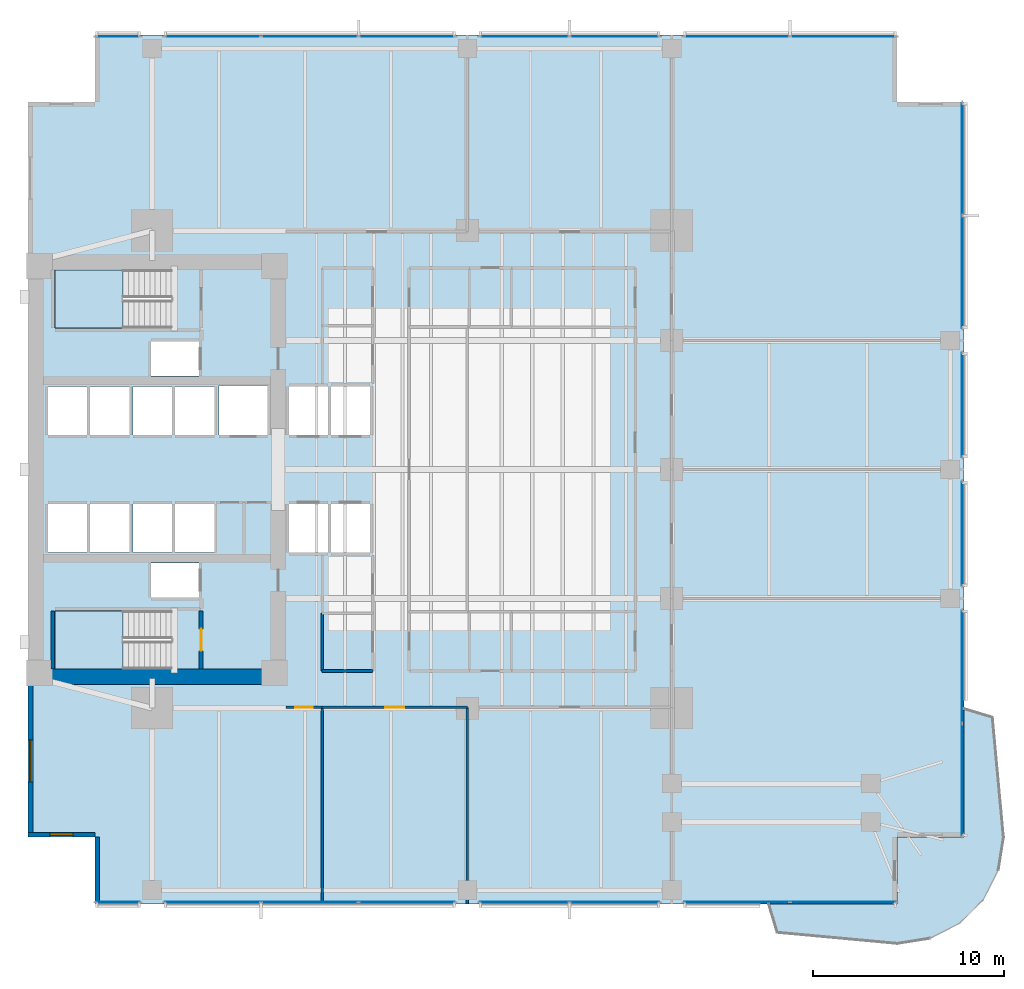
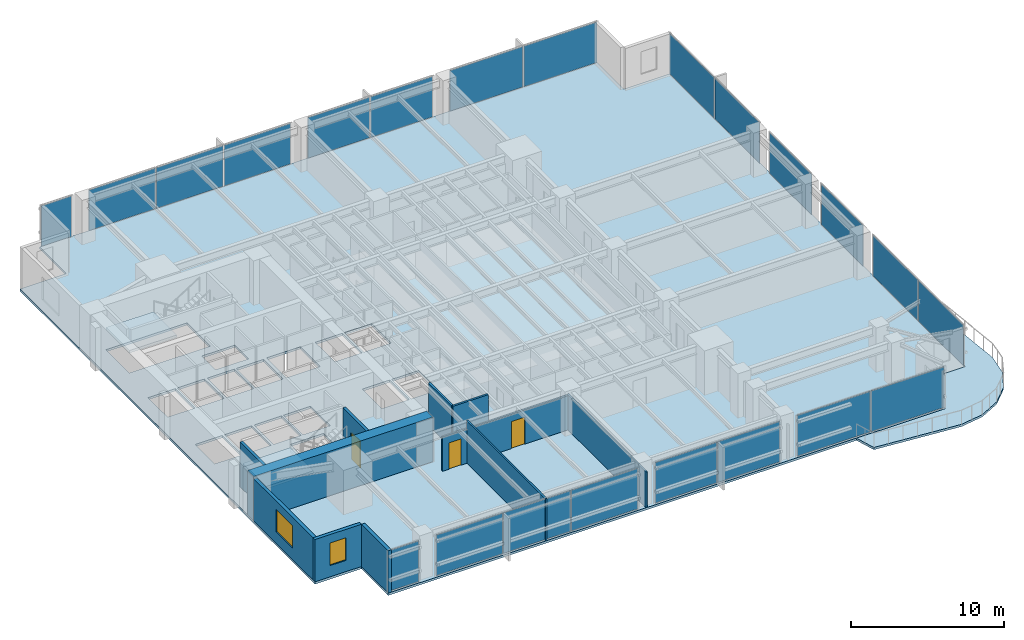
# One storey, part 7 of 15: 22 plates, 12 walls, 4 slabs, 3 doors, 2 windows, 5 openings, 14 elements without a shape of their own.
"""IFC4 building model written with IfcOpenShell, lengths in metres."""

from ifc_helpers import new_model, si_unit, direction, frame, frame_2d, origin, origin_2d, place, context, subcontext, project, spatial, polyline, rectangle, outline, extrude, material, layer, layer_set, type_object, element, fill, aggregate, save


model = new_model("IFC4")

# Units and contexts
model_context = context("Model", 3, precision=1e-05, world=origin(), true_north=direction((0.0, 1.0)))
body_context = subcontext(model_context, "Body", "Model", "MODEL_VIEW")
ifc_project = project(units=[si_unit("LENGTHUNIT", "METRE"), si_unit("AREAUNIT", "SQUARE_METRE"), si_unit("VOLUMEUNIT", "CUBIC_METRE"), si_unit("PLANEANGLEUNIT", "RADIAN"), si_unit("MASSUNIT", "GRAM", prefix="KILO")], contexts=[model_context])

# Site, building, storey
site_placement = place(None, origin())
site = spatial("IfcSite", under=ifc_project, at=site_placement, CompositionType="ELEMENT")
building_placement = place(site_placement, origin())
building = spatial("IfcBuilding", under=site, at=building_placement, Name="Kinhvarn Gate Tower", CompositionType="ELEMENT")
storey_placement = place(building_placement, frame((0.0, 0.0, 29.14990234375)))
storey = spatial("IfcBuildingStorey", under=building, at=storey_placement, Name="L06", CompositionType="ELEMENT", Elevation=29.14990234375)

# Curtain wall, plate
ifc_material_1 = material(Name="Anodised aluminium AW-6063", Category="aluminium")
ifc_layer_1 = layer(ifc_material_1, 0.179931640625)
ifc_layer_set_1 = layer_set([ifc_layer_1], Name="Anodised aluminium AW-6063")
curtain_wall_type = type_object("IfcCurtainWallType", Name="CW-SYS-2", PredefinedType="NOTDEFINED", material=ifc_layer_set_1)
curtain_wall_1_placement = place(storey_placement, origin())
curtain_wall_1 = element("IfcCurtainWall", 1, at=curtain_wall_1_placement, inside=storey, type_object=curtain_wall_type, Name="Curtain Wall CW2 (L06)", PredefinedType="NOTDEFINED")
ifc_material_2 = material(Name="Clear low-e double glazing", Category="glass")
ifc_layer_2 = layer(ifc_material_2, 0.031982421875)
ifc_layer_set_2 = layer_set([ifc_layer_2], Name="Clear low-e double glazing")
plate_type = type_object("IfcPlateType", Name="CW-PNL-VIS", PredefinedType="CURTAIN_PANEL", material=ifc_layer_set_2)
plate_1_placement = place(storey_placement, frame((9.2099609375, 2.590087890625, 0.070068359375), z_axis=(0.0, 0.0, 1.0), x_axis=(1.0, 0.0, 0.0)))
plate_1 = element("IfcPlate", 2, at=plate_1_placement, type_object=plate_type, Name="CW2 panel 1.1", PredefinedType="CURTAIN_PANEL", context=body_context, shape_type="SweptSolid", body=[
    extrude(rectangle(XDim=2.280029296875, YDim=0.031982421875, at=origin_2d()), origin(), (0.0, 0.0, 1.0), 3.22998046875),
])
aggregate(curtain_wall_1, [plate_1])

# Curtain wall, plates
curtain_wall_2_placement = place(storey_placement, origin())
curtain_wall_2 = element("IfcCurtainWall", 3, at=curtain_wall_2_placement, inside=storey, type_object=curtain_wall_type, Name="Curtain Wall CW2 (L06)", PredefinedType="NOTDEFINED")
plate_2_placement = place(storey_placement, frame((14.154052734375, 2.590087890625, 0.070068359375), z_axis=(0.0, 0.0, 1.0), x_axis=(1.0, 0.0, 0.0)))
plate_2 = element("IfcPlate", 4, at=plate_2_placement, type_object=plate_type, Name="CW2 panel 1.1", PredefinedType="CURTAIN_PANEL", context=body_context, shape_type="SweptSolid", body=[
    extrude(rectangle(XDim=5.00830078125, YDim=0.031982421875, at=origin_2d()), origin(), (0.0, 0.0, 1.0), 3.22998046875),
])
plate_3_placement = place(storey_placement, frame((19.25, 2.590087890625, 0.070068359375), z_axis=(0.0, 0.0, 1.0), x_axis=(1.0, 0.0, 0.0)))
plate_3 = element("IfcPlate", 5, at=plate_3_placement, type_object=plate_type, Name="CW2 panel 2.1", PredefinedType="CURTAIN_PANEL", context=body_context, shape_type="SweptSolid", body=[
    extrude(rectangle(XDim=5.043212890625, YDim=0.031982421875, at=origin_2d()), origin(), (0.0, 0.0, 1.0), 3.22998046875),
])
plate_4_placement = place(storey_placement, frame((24.345947265625, 2.590087890625, 0.070068359375), z_axis=(0.0, 0.0, 1.0), x_axis=(1.0, 0.0, 0.0)))
plate_4 = element("IfcPlate", 6, at=plate_4_placement, type_object=plate_type, Name="CW2 panel 3.1", PredefinedType="CURTAIN_PANEL", context=body_context, shape_type="SweptSolid", body=[
    extrude(rectangle(XDim=5.00830078125, YDim=0.031982421875, at=origin_2d()), origin(), (0.0, 0.0, 1.0), 3.22998046875),
])
aggregate(curtain_wall_2, [plate_2, plate_3, plate_4])

curtain_wall_3_placement = place(storey_placement, origin())
curtain_wall_3 = element("IfcCurtainWall", 7, at=curtain_wall_3_placement, inside=storey, type_object=curtain_wall_type, Name="Curtain Wall CW2 (L06)", PredefinedType="NOTDEFINED")
plate_5_placement = place(storey_placement, frame((30.482421875, 2.590087890625, 0.070068359375), z_axis=(0.0, 0.0, 1.0), x_axis=(1.0, 0.0, 0.0)))
plate_5 = element("IfcPlate", 8, at=plate_5_placement, type_object=plate_type, Name="CW2 panel 1.1", PredefinedType="CURTAIN_PANEL", context=body_context, shape_type="SweptSolid", body=[
    extrude(rectangle(XDim=4.6650390625, YDim=0.031982421875, at=origin_2d()), origin(), (0.0, 0.0, 1.0), 3.22998046875),
])
plate_6_placement = place(storey_placement, frame((35.217529296875, 2.590087890625, 0.070068359375), z_axis=(0.0, 0.0, 1.0), x_axis=(1.0, 0.0, 0.0)))
plate_6 = element("IfcPlate", 9, at=plate_6_placement, type_object=plate_type, Name="CW2 panel 2.1", PredefinedType="CURTAIN_PANEL", context=body_context, shape_type="SweptSolid", body=[
    extrude(rectangle(XDim=4.6650390625, YDim=0.031982421875, at=origin_2d()), origin(), (0.0, 0.0, 1.0), 3.22998046875),
])
aggregate(curtain_wall_3, [plate_5, plate_6])

curtain_wall_4_placement = place(storey_placement, origin())
curtain_wall_4 = element("IfcCurtainWall", 10, at=curtain_wall_4_placement, inside=storey, type_object=curtain_wall_type, Name="Curtain Wall CW2 (L06)", PredefinedType="NOTDEFINED")
plate_7_placement = place(storey_placement, frame((41.6025390625, 2.590087890625, 0.070068359375), z_axis=(0.0, 0.0, 1.0), x_axis=(1.0, 0.0, 0.0)))
plate_7 = element("IfcPlate", 11, at=plate_7_placement, type_object=plate_type, Name="CW2 panel 1.1", PredefinedType="CURTAIN_PANEL", context=body_context, shape_type="SweptSolid", body=[
    extrude(rectangle(XDim=5.5048828125, YDim=0.031982421875, at=origin_2d()), origin(), (0.0, 0.0, 1.0), 3.22998046875),
])
plate_8_placement = place(storey_placement, frame((47.177490234375, 2.590087890625, 0.070068359375), z_axis=(0.0, 0.0, 1.0), x_axis=(1.0, 0.0, 0.0)))
plate_8 = element("IfcPlate", 12, at=plate_8_placement, type_object=plate_type, Name="CW2 panel 2.1", PredefinedType="CURTAIN_PANEL", context=body_context, shape_type="SweptSolid", body=[
    extrude(rectangle(XDim=5.5048828125, YDim=0.031982421875, at=origin_2d()), origin(), (0.0, 0.0, 1.0), 3.22998046875),
])
aggregate(curtain_wall_4, [plate_7, plate_8])

curtain_wall_5_placement = place(storey_placement, origin())
curtain_wall_5 = element("IfcCurtainWall", 13, at=curtain_wall_5_placement, inside=storey, type_object=curtain_wall_type, Name="Curtain Wall CW2 (L06)", PredefinedType="NOTDEFINED")
plate_9_placement = place(storey_placement, frame((47.177490234375, 47.909912109375, 0.070068359375), z_axis=(0.0, 0.0, 1.0), x_axis=(-1.0, 0.0, 0.0)))
plate_9 = element("IfcPlate", 14, at=plate_9_placement, type_object=plate_type, Name="CW2 panel 1.1", PredefinedType="CURTAIN_PANEL", context=body_context, shape_type="SweptSolid", body=[
    extrude(rectangle(XDim=5.5048828125, YDim=0.031982421875, at=origin_2d()), origin(), (0.0, 0.0, 1.0), 3.22998046875),
])
plate_10_placement = place(storey_placement, frame((41.6025390625, 47.909912109375, 0.070068359375), z_axis=(0.0, 0.0, 1.0), x_axis=(-1.0, 0.0, 0.0)))
plate_10 = element("IfcPlate", 15, at=plate_10_placement, type_object=plate_type, Name="CW2 panel 2.1", PredefinedType="CURTAIN_PANEL", context=body_context, shape_type="SweptSolid", body=[
    extrude(rectangle(XDim=5.5048828125, YDim=0.031982421875, at=origin_2d()), origin(), (0.0, 0.0, 1.0), 3.22998046875),
])
aggregate(curtain_wall_5, [plate_9, plate_10])

curtain_wall_6_placement = place(storey_placement, origin())
curtain_wall_6 = element("IfcCurtainWall", 16, at=curtain_wall_6_placement, inside=storey, type_object=curtain_wall_type, Name="Curtain Wall CW2 (L06)", PredefinedType="NOTDEFINED")
plate_11_placement = place(storey_placement, frame((35.217529296875, 47.909912109375, 0.070068359375), z_axis=(0.0, 0.0, 1.0), x_axis=(-1.0, 0.0, 0.0)))
plate_11 = element("IfcPlate", 17, at=plate_11_placement, type_object=plate_type, Name="CW2 panel 1.1", PredefinedType="CURTAIN_PANEL", context=body_context, shape_type="SweptSolid", body=[
    extrude(rectangle(XDim=4.6650390625, YDim=0.031982421875, at=origin_2d()), origin(), (0.0, 0.0, 1.0), 3.22998046875),
])
plate_12_placement = place(storey_placement, frame((30.482421875, 47.909912109375, 0.070068359375), z_axis=(0.0, 0.0, 1.0), x_axis=(-1.0, 0.0, 0.0)))
plate_12 = element("IfcPlate", 18, at=plate_12_placement, type_object=plate_type, Name="CW2 panel 2.1", PredefinedType="CURTAIN_PANEL", context=body_context, shape_type="SweptSolid", body=[
    extrude(rectangle(XDim=4.6650390625, YDim=0.031982421875, at=origin_2d()), origin(), (0.0, 0.0, 1.0), 3.22998046875),
])
aggregate(curtain_wall_6, [plate_11, plate_12])

curtain_wall_7_placement = place(storey_placement, origin())
curtain_wall_7 = element("IfcCurtainWall", 19, at=curtain_wall_7_placement, inside=storey, type_object=curtain_wall_type, Name="Curtain Wall CW2 (L06)", PredefinedType="NOTDEFINED")
plate_13_placement = place(storey_placement, frame((24.345947265625, 47.909912109375, 0.070068359375), z_axis=(0.0, 0.0, 1.0), x_axis=(-1.0, 0.0, 0.0)))
plate_13 = element("IfcPlate", 20, at=plate_13_placement, type_object=plate_type, Name="CW2 panel 1.1", PredefinedType="CURTAIN_PANEL", context=body_context, shape_type="SweptSolid", body=[
    extrude(rectangle(XDim=5.00830078125, YDim=0.031982421875, at=origin_2d()), origin(), (0.0, 0.0, 1.0), 3.22998046875),
])
plate_14_placement = place(storey_placement, frame((19.25, 47.909912109375, 0.070068359375), z_axis=(0.0, 0.0, 1.0), x_axis=(-1.0, 0.0, 0.0)))
plate_14 = element("IfcPlate", 21, at=plate_14_placement, type_object=plate_type, Name="CW2 panel 2.1", PredefinedType="CURTAIN_PANEL", context=body_context, shape_type="SweptSolid", body=[
    extrude(rectangle(XDim=5.043212890625, YDim=0.031982421875, at=origin_2d()), origin(), (0.0, 0.0, 1.0), 3.22998046875),
])
plate_15_placement = place(storey_placement, frame((14.154052734375, 47.909912109375, 0.070068359375), z_axis=(0.0, 0.0, 1.0), x_axis=(-1.0, 0.0, 0.0)))
plate_15 = element("IfcPlate", 22, at=plate_15_placement, type_object=plate_type, Name="CW2 panel 3.1", PredefinedType="CURTAIN_PANEL", context=body_context, shape_type="SweptSolid", body=[
    extrude(rectangle(XDim=5.00830078125, YDim=0.031982421875, at=origin_2d()), origin(), (0.0, 0.0, 1.0), 3.22998046875),
])
aggregate(curtain_wall_7, [plate_13, plate_14, plate_15])

# Curtain wall, plate
curtain_wall_8_placement = place(storey_placement, origin())
curtain_wall_8 = element("IfcCurtainWall", 23, at=curtain_wall_8_placement, inside=storey, type_object=curtain_wall_type, Name="Curtain Wall CW2 (L06)", PredefinedType="NOTDEFINED")
plate_16_placement = place(storey_placement, frame((9.2099609375, 47.909912109375, 0.070068359375), z_axis=(0.0, 0.0, 1.0), x_axis=(-1.0, 0.0, 0.0)))
plate_16 = element("IfcPlate", 24, at=plate_16_placement, type_object=plate_type, Name="CW2 panel 1.1", PredefinedType="CURTAIN_PANEL", context=body_context, shape_type="SweptSolid", body=[
    extrude(rectangle(XDim=2.280029296875, YDim=0.031982421875, at=origin_2d()), origin(), (0.0, 0.0, 1.0), 3.22998046875),
])
aggregate(curtain_wall_8, [plate_16])

# Curtain wall, plates
curtain_wall_9_placement = place(storey_placement, origin())
curtain_wall_9 = element("IfcCurtainWall", 25, at=curtain_wall_9_placement, inside=storey, type_object=curtain_wall_type, Name="Curtain Wall CW2 (L06)", PredefinedType="NOTDEFINED")
plate_17_placement = place(storey_placement, frame((53.409912109375, 8.99755859375, 0.070068359375), z_axis=(0.0, 0.0, 1.0), x_axis=(0.0, 1.0, 0.0)))
plate_17 = element("IfcPlate", 26, at=plate_17_placement, type_object=plate_type, Name="CW2 panel 1.1", PredefinedType="CURTAIN_PANEL", context=body_context, shape_type="SweptSolid", body=[
    extrude(rectangle(XDim=5.85498046875, YDim=0.031982421875, at=origin_2d()), origin(), (0.0, 0.0, 1.0), 3.22998046875),
])
plate_18_placement = place(storey_placement, frame((53.409912109375, 14.922607421875, 0.070068359375), z_axis=(0.0, 0.0, 1.0), x_axis=(0.0, 1.0, 0.0)))
plate_18 = element("IfcPlate", 27, at=plate_18_placement, type_object=plate_type, Name="CW2 panel 2.1", PredefinedType="CURTAIN_PANEL", context=body_context, shape_type="SweptSolid", body=[
    extrude(rectangle(XDim=5.85498046875, YDim=0.031982421875, at=origin_2d()), origin(), (0.0, 0.0, 1.0), 3.22998046875),
])
aggregate(curtain_wall_9, [plate_17, plate_18])

# Curtain wall, plate
curtain_wall_10_placement = place(storey_placement, origin())
curtain_wall_10 = element("IfcCurtainWall", 28, at=curtain_wall_10_placement, inside=storey, type_object=curtain_wall_type, Name="Curtain Wall CW2 (L06)", PredefinedType="NOTDEFINED")
plate_19_placement = place(storey_placement, frame((53.409912109375, 21.875, 0.070068359375), z_axis=(0.0, 0.0, 1.0), x_axis=(0.0, 1.0, 0.0)))
plate_19 = element("IfcPlate", 29, at=plate_19_placement, type_object=plate_type, Name="CW2 panel 1.1", PredefinedType="CURTAIN_PANEL", context=body_context, shape_type="SweptSolid", body=[
    extrude(rectangle(XDim=5.449951171875, YDim=0.031982421875, at=origin_2d()), origin(), (0.0, 0.0, 1.0), 3.22998046875),
])
aggregate(curtain_wall_10, [plate_19])

curtain_wall_11_placement = place(storey_placement, origin())
curtain_wall_11 = element("IfcCurtainWall", 30, at=curtain_wall_11_placement, inside=storey, type_object=curtain_wall_type, Name="Curtain Wall CW2 (L06)", PredefinedType="NOTDEFINED")
plate_20_placement = place(storey_placement, frame((53.409912109375, 28.625, 0.070068359375), z_axis=(0.0, 0.0, 1.0), x_axis=(0.0, 1.0, 0.0)))
plate_20 = element("IfcPlate", 31, at=plate_20_placement, type_object=plate_type, Name="CW2 panel 1.1", PredefinedType="CURTAIN_PANEL", context=body_context, shape_type="SweptSolid", body=[
    extrude(rectangle(XDim=5.449951171875, YDim=0.031982421875, at=origin_2d()), origin(), (0.0, 0.0, 1.0), 3.22998046875),
])
aggregate(curtain_wall_11, [plate_20])

# Curtain wall, plates
curtain_wall_12_placement = place(storey_placement, origin())
curtain_wall_12 = element("IfcCurtainWall", 32, at=curtain_wall_12_placement, inside=storey, type_object=curtain_wall_type, Name="Curtain Wall CW2 (L06)", PredefinedType="NOTDEFINED")
plate_21_placement = place(storey_placement, frame((53.409912109375, 35.577392578125, 0.070068359375), z_axis=(0.0, 0.0, 1.0), x_axis=(0.0, 1.0, 0.0)))
plate_21 = element("IfcPlate", 33, at=plate_21_placement, type_object=plate_type, Name="CW2 panel 1.1", PredefinedType="CURTAIN_PANEL", context=body_context, shape_type="SweptSolid", body=[
    extrude(rectangle(XDim=5.85498046875, YDim=0.031982421875, at=origin_2d()), origin(), (0.0, 0.0, 1.0), 3.22998046875),
])
plate_22_placement = place(storey_placement, frame((53.409912109375, 41.50244140625, 0.070068359375), z_axis=(0.0, 0.0, 1.0), x_axis=(0.0, 1.0, 0.0)))
plate_22 = element("IfcPlate", 34, at=plate_22_placement, type_object=plate_type, Name="CW2 panel 2.1", PredefinedType="CURTAIN_PANEL", context=body_context, shape_type="SweptSolid", body=[
    extrude(rectangle(XDim=5.85498046875, YDim=0.031982421875, at=origin_2d()), origin(), (0.0, 0.0, 1.0), 3.22998046875),
])
aggregate(curtain_wall_12, [plate_21, plate_22])

# Slabs
ifc_material_3 = material(Name="Precast white architectural concrete C40/50", Category="concrete")
ifc_layer_3 = layer(ifc_material_3, 0.179931640625)
ifc_layer_set_3 = layer_set([ifc_layer_3], Name="Precast white architectural concrete C40/50")
slab_type_1 = type_object("IfcSlabType", Name="SLB-BAL-180", PredefinedType="FLOOR", material=ifc_layer_set_3)
slab_1_placement = place(storey_placement, frame((0.0, 0.0, -0.179931640625)))
element("IfcSlab", 35, at=slab_1_placement, inside=storey, type_object=slab_type_1, Name="S-Carve Curved Terrace Balcony Slab L06 (SE)", PredefinedType="FLOOR", context=body_context, shape_type="SweptSolid", body=[
    extrude(outline(polyline([(43.282958984375, 2.5), (43.73291015625, 1.009521484375), (50.0, 0.429931640625), (51.72119140625, 0.70263671875), (53.27392578125, 1.493896484375), (54.506103515625, 2.72607421875), (55.29736328125, 4.27880859375), (55.570068359375, 6.0), (54.990478515625, 12.26708984375), (53.5, 12.717041015625), (53.5, 6.0), (50.0, 6.0), (50.0, 2.5), (43.282958984375, 2.5)])), origin(), (0.0, 0.0, 1.0), 0.179931640625),
])
ifc_material_4 = material(Name="Concrete C40/50", Category="concrete")
ifc_layer_4 = layer(ifc_material_4, 0.179931640625)
ifc_layer_set_4 = layer_set([ifc_layer_4], Name="Concrete C40/50")
slab_type_2 = type_object("IfcSlabType", Name="SLB-FLR-180", PredefinedType="FLOOR", material=ifc_layer_set_4)
slab_2_placement = place(storey_placement, frame((0.0, 0.0, -0.179931640625)))
element("IfcSlab", 36, at=slab_2_placement, inside=storey, type_object=slab_type_2, Name="Suspended Floor Slab L06", PredefinedType="FLOOR", context=body_context, shape_type="SweptSolid", body=[
    extrude(outline(polyline([(8.0, 2.5), (50.0, 2.5), (50.0, 6.0), (53.5, 6.0), (53.5, 44.5), (50.0, 44.5), (50.0, 48.0), (8.0, 48.0), (8.0, 44.5), (4.5, 44.5), (4.5, 6.0), (8.0, 6.0), (8.0, 2.5)]), holes=[polyline([(5.89990234375, 14.800048828125), (12.0, 14.800048828125), (12.0, 17.85009765625), (5.89990234375, 17.85009765625), (5.89990234375, 14.800048828125)]), polyline([(5.89990234375, 32.64990234375), (12.0, 32.64990234375), (12.0, 35.699951171875), (5.89990234375, 35.699951171875), (5.89990234375, 32.64990234375)]), polyline([(18.14990234375, 20.89990234375), (20.199951171875, 20.89990234375), (20.199951171875, 23.449951171875), (18.14990234375, 23.449951171875), (18.14990234375, 20.89990234375)]), polyline([(20.35009765625, 20.89990234375), (22.39990234375, 20.89990234375), (22.39990234375, 23.449951171875), (20.35009765625, 23.449951171875), (20.35009765625, 20.89990234375)]), polyline([(18.14990234375, 27.050048828125), (20.199951171875, 27.050048828125), (20.199951171875, 29.60009765625), (18.14990234375, 29.60009765625), (18.14990234375, 27.050048828125)]), polyline([(20.35009765625, 27.050048828125), (22.39990234375, 27.050048828125), (22.39990234375, 29.60009765625), (20.35009765625, 29.60009765625), (20.35009765625, 27.050048828125)]), polyline([(5.550048828125, 20.89990234375), (7.60009765625, 20.89990234375), (7.60009765625, 23.449951171875), (5.550048828125, 23.449951171875), (5.550048828125, 20.89990234375)]), polyline([(7.75, 20.89990234375), (9.800048828125, 20.89990234375), (9.800048828125, 23.449951171875), (7.75, 23.449951171875), (7.75, 20.89990234375)]), polyline([(5.550048828125, 27.050048828125), (7.60009765625, 27.050048828125), (7.60009765625, 29.60009765625), (5.550048828125, 29.60009765625), (5.550048828125, 27.050048828125)]), polyline([(7.75, 27.050048828125), (9.800048828125, 27.050048828125), (9.800048828125, 29.60009765625), (7.75, 29.60009765625), (7.75, 27.050048828125)]), polyline([(10.0, 20.89990234375), (12.050048828125, 20.89990234375), (12.050048828125, 23.449951171875), (10.0, 23.449951171875), (10.0, 20.89990234375)]), polyline([(12.199951171875, 20.89990234375), (14.25, 20.89990234375), (14.25, 23.449951171875), (12.199951171875, 23.449951171875), (12.199951171875, 20.89990234375)]), polyline([(10.0, 27.050048828125), (12.050048828125, 27.050048828125), (12.050048828125, 29.60009765625), (10.0, 29.60009765625), (10.0, 27.050048828125)]), polyline([(12.199951171875, 27.050048828125), (14.25, 27.050048828125), (14.25, 29.60009765625), (12.199951171875, 29.60009765625), (12.199951171875, 27.050048828125)]), polyline([(14.5, 27.050048828125), (17.050048828125, 27.050048828125), (17.050048828125, 29.64990234375), (14.5, 29.64990234375), (14.5, 27.050048828125)]), polyline([(10.949951171875, 18.550048828125), (13.449951171875, 18.550048828125), (13.449951171875, 20.35009765625), (10.949951171875, 20.35009765625), (10.949951171875, 18.550048828125)]), polyline([(10.949951171875, 30.14990234375), (13.449951171875, 30.14990234375), (13.449951171875, 31.949951171875), (10.949951171875, 31.949951171875), (10.949951171875, 30.14990234375)])]), origin(), (0.0, 0.0, 1.0), 0.179931640625),
])

# Stair, slab
stair_type = type_object("IfcStairType", Name="STR-DLG-178", PredefinedType="HALF_TURN_STAIR", material=ifc_material_4)
stair_1_placement = place(storey_placement, origin())
stair_1 = element("IfcStair", 37, at=stair_1_placement, inside=storey, type_object=stair_type, Name="L06 Core Smokeproof Exit Stair ST1", PredefinedType="HALF_TURN_STAIR")
ifc_layer_5 = layer(ifc_material_4, 0.199951171875)
ifc_layer_set_5 = layer_set([ifc_layer_5], Name="Concrete C40/50")
slab_type_3 = type_object("IfcSlabType", Name="SLB-ST-LND", PredefinedType="LANDING", material=ifc_layer_set_5)
slab_3_placement = place(storey_placement, frame((0.0, 0.0, 1.5751953125)))
slab_3 = element("IfcSlab", 38, at=slab_3_placement, type_object=slab_type_3, Name="ST1 landing 1", PredefinedType="LANDING", context=body_context, shape_type="SweptSolid", body=[
    extrude(outline(polyline([(9.47998046875, 17.85009765625), (5.89990234375, 17.85009765625), (5.89990234375, 14.800048828125), (9.47998046875, 14.800048828125), (9.47998046875, 17.85009765625)])), origin(), (0.0, 0.0, 1.0), 0.199951171875),
])
aggregate(stair_1, [slab_3])

stair_2_placement = place(storey_placement, origin())
stair_2 = element("IfcStair", 39, at=stair_2_placement, inside=storey, type_object=stair_type, Name="L06 Core Smokeproof Exit Stair ST2", PredefinedType="HALF_TURN_STAIR")
slab_4_placement = place(storey_placement, frame((0.0, 0.0, 1.5751953125)))
slab_4 = element("IfcSlab", 40, at=slab_4_placement, type_object=slab_type_3, Name="ST2 landing 1", PredefinedType="LANDING", context=body_context, shape_type="SweptSolid", body=[
    extrude(outline(polyline([(9.47998046875, 35.699951171875), (5.89990234375, 35.699951171875), (5.89990234375, 32.64990234375), (9.47998046875, 32.64990234375), (9.47998046875, 35.699951171875)])), origin(), (0.0, 0.0, 1.0), 0.199951171875),
])
aggregate(stair_2, [slab_4])

# Wall
ifc_material_5 = material(Name="Concrete C70/85", Category="concrete")
ifc_layer_6 = layer(ifc_material_5, 0.800048828125)
ifc_layer_set_6 = layer_set([ifc_layer_6], Name="Concrete C70/85")
wall_type_1 = type_object("IfcWallType", Name="WL-CORE-800", PredefinedType="SHEAR", material=ifc_layer_set_6)
wall_1_placement = place(storey_placement, frame((4.5, 14.39990234375, 0.0), z_axis=(0.0, 0.0, 1.0), x_axis=(1.0, 0.0, 0.0)))
element("IfcWall", 41, at=wall_1_placement, inside=storey, type_object=wall_type_1, Name="Core South Shear Wall L06 800 mm", PredefinedType="SHEAR", context=body_context, shape_type="SweptSolid", body=[
    extrude(rectangle(XDim=13.5, YDim=0.800048828125, at=frame_2d((6.75, 0.0))), origin(), (0.0, 0.0, 1.0), 3.550048828125),
])

# Wall, opening, window
ifc_material_6 = material(Name="Fired architectural terracotta", Category="masonry")
ifc_layer_7 = layer(ifc_material_6, 0.25)
ifc_layer_set_7 = layer_set([ifc_layer_7], Name="Fired architectural terracotta")
wall_type_2 = type_object("IfcWallType", Name="WL-EXT-250", PredefinedType="SOLIDWALL", material=ifc_layer_set_7)
wall_2_placement = place(storey_placement, frame((4.625, 14.0, 0.0), z_axis=(0.0, 0.0, 1.0), x_axis=(0.0, -1.0, 0.0)))
wall_2 = element("IfcWall", 42, at=wall_2_placement, inside=storey, type_object=wall_type_2, Name="Exterior Solidwall Wall EW-250 (L06 West-South)", PredefinedType="SOLIDWALL", context=body_context, shape_type="SweptSolid", body=[
    extrude(rectangle(XDim=8.0, YDim=0.25, at=frame_2d((4.0, 0.0))), origin(), (0.0, 0.0, 1.0), 3.3701171875),
])
opening_1_placement = place(wall_2_placement, frame((2.89990234375, 0.0, 0.89990234375)))
opening_1 = element("IfcOpeningElement", 43, at=opening_1_placement, cuts=wall_2, Name="Opening WN-01", PredefinedType="OPENING", context=body_context, shape_type="SweptSolid", body=[
    extrude(rectangle(XDim=2.199951171875, YDim=1.800048828125, at=frame_2d((1.10009765625, 0.89990234375))), frame((0.0, 0.135009765625, 0.0), z_axis=(0.0, -1.0, 0.0), x_axis=(1.0, 0.0, 0.0)), (0.0, 0.0, 1.0), 0.27001953125),
])
window_type_1 = type_object("IfcWindowType", Name="WIN-RIB-2200", PartitioningType="SINGLE_PANEL", PredefinedType="WINDOW", material=ifc_material_2)
window_1_placement = place(opening_1_placement, origin())
window_1 = element("IfcWindow", 44, at=window_1_placement, inside=storey, type_object=window_type_1, Name="West Flank Double-Glazed Ribbon Window 2200x1800 mm (L06)", OverallHeight=1.800048828125, OverallWidth=2.199951171875, PartitioningType="SINGLE_PANEL", PredefinedType="WINDOW", context=body_context, shape_type="SweptSolid", body=[
    extrude(rectangle(XDim=2.199951171875, YDim=1.800048828125, at=frame_2d((1.10009765625, 0.89990234375))), frame((0.0, 0.030029296875, 0.0), z_axis=(0.0, -1.0, 0.0), x_axis=(1.0, 0.0, 0.0)), (0.0, 0.0, 1.0), 0.06005859375),
])
fill(opening_1, window_1)

wall_3_placement = place(storey_placement, frame((4.5, 6.125, 0.0), z_axis=(0.0, 0.0, 1.0), x_axis=(1.0, 0.0, 0.0)))
wall_3 = element("IfcWall", 45, at=wall_3_placement, inside=storey, type_object=wall_type_2, Name="Exterior Solidwall Wall EW-250 (L06 SW-Notch-1)", PredefinedType="SOLIDWALL", context=body_context, shape_type="SweptSolid", body=[
    extrude(rectangle(XDim=3.5, YDim=0.25, at=frame_2d((1.75, 0.0))), origin(), (0.0, 0.0, 1.0), 3.3701171875),
])
opening_2_placement = place(wall_3_placement, frame((1.14990234375, 0.0, 0.89990234375)))
opening_2 = element("IfcOpeningElement", 46, at=opening_2_placement, cuts=wall_3, Name="Opening WN-02", PredefinedType="OPENING", context=body_context, shape_type="SweptSolid", body=[
    extrude(rectangle(XDim=1.199951171875, YDim=1.800048828125, at=frame_2d((0.60009765625, 0.89990234375))), frame((0.0, 0.135009765625, 0.0), z_axis=(0.0, -1.0, 0.0), x_axis=(1.0, 0.0, 0.0)), (0.0, 0.0, 1.0), 0.27001953125),
])
window_type_2 = type_object("IfcWindowType", Name="WIN-NTC-1200", PartitioningType="SINGLE_PANEL", PredefinedType="WINDOW", material=ifc_material_2)
window_2_placement = place(opening_2_placement, origin())
window_2 = element("IfcWindow", 47, at=window_2_placement, inside=storey, type_object=window_type_2, Name="Recessed Corner Notch Punched Window 1200x1800 mm (L06)", OverallHeight=1.800048828125, OverallWidth=1.199951171875, PartitioningType="SINGLE_PANEL", PredefinedType="WINDOW", context=body_context, shape_type="SweptSolid", body=[
    extrude(rectangle(XDim=1.199951171875, YDim=1.800048828125, at=frame_2d((0.60009765625, 0.89990234375))), frame((0.0, 0.030029296875, 0.0), z_axis=(0.0, -1.0, 0.0), x_axis=(1.0, 0.0, 0.0)), (0.0, 0.0, 1.0), 0.06005859375),
])
fill(opening_2, window_2)

# Walls
wall_4_placement = place(storey_placement, frame((8.125, 6.0, 0.0), z_axis=(0.0, 0.0, 1.0), x_axis=(0.0, -1.0, 0.0)))
element("IfcWall", 48, at=wall_4_placement, inside=storey, type_object=wall_type_2, Name="Exterior Solidwall Wall EW-250 (L06 SW-Notch-2)", PredefinedType="SOLIDWALL", context=body_context, shape_type="SweptSolid", body=[
    extrude(rectangle(XDim=3.5, YDim=0.25, at=frame_2d((1.75, 0.0))), origin(), (0.0, 0.0, 1.0), 3.3701171875),
])
ifc_material_7 = material(Name="Gypsum acoustic partition board")
ifc_layer_8 = layer(ifc_material_7, 0.1201171875)
ifc_layer_set_8 = layer_set([ifc_layer_8], Name="Gypsum acoustic partition board")
wall_type_3 = type_object("IfcWallType", Name="WL-PRT-120", PredefinedType="PARTITIONING", material=ifc_layer_set_8)
wall_5_placement = place(storey_placement, frame((19.89990234375, 2.510009765625, 0.0), z_axis=(0.0, 0.0, 1.0), x_axis=(0.0, 1.0, 0.0)))
element("IfcWall", 49, at=wall_5_placement, inside=storey, type_object=wall_type_3, Name="Interior Partition PW-120 (L06)", PredefinedType="PARTITIONING", context=body_context, shape_type="SweptSolid", body=[
    extrude(rectangle(XDim=10.2900390625, YDim=0.1201171875, at=frame_2d((5.14501953125, 0.0))), origin(), (0.0, 0.0, 1.0), 3.3701171875),
])
wall_6_placement = place(storey_placement, frame((27.5, 2.510009765625, 0.0), z_axis=(0.0, 0.0, 1.0), x_axis=(0.0, 1.0, 0.0)))
element("IfcWall", 50, at=wall_6_placement, inside=storey, type_object=wall_type_3, Name="Interior Partition PW-120 (L06)", PredefinedType="PARTITIONING", context=body_context, shape_type="SweptSolid", body=[
    extrude(rectangle(XDim=10.2900390625, YDim=0.1201171875, at=frame_2d((5.14501953125, 0.0))), origin(), (0.0, 0.0, 1.0), 2.820068359375),
])
ifc_layer_9 = layer(ifc_material_7, 0.14990234375)
ifc_layer_set_9 = layer_set([ifc_layer_9], Name="Gypsum acoustic partition board")
wall_type_4 = type_object("IfcWallType", Name="WL-PRT-150F", PredefinedType="PARTITIONING", material=ifc_layer_set_9)
wall_7_placement = place(storey_placement, frame((19.89990234375, 14.699951171875, 0.0), z_axis=(0.0, 0.0, 1.0), x_axis=(0.0, 1.0, 0.0)))
element("IfcWall", 51, at=wall_7_placement, inside=storey, type_object=wall_type_4, Name="Interior Partition PW-150F (L06)", PredefinedType="PARTITIONING", context=body_context, shape_type="SweptSolid", body=[
    extrude(rectangle(XDim=3.030029296875, YDim=0.14990234375, at=frame_2d((1.51513671875, 0.0))), origin(), (0.0, 0.0, 1.0), 3.3701171875),
])
wall_8_placement = place(storey_placement, frame((19.89990234375, 14.699951171875, 0.0), z_axis=(0.0, 0.0, 1.0), x_axis=(1.0, 0.0, 0.0)))
element("IfcWall", 52, at=wall_8_placement, inside=storey, type_object=wall_type_4, Name="Interior Partition PW-150F (L06)", PredefinedType="PARTITIONING", context=body_context, shape_type="SweptSolid", body=[
    extrude(rectangle(XDim=2.650146484375, YDim=0.14990234375, at=frame_2d((1.3251953125, 0.0))), origin(), (0.0, 0.0, 1.0), 3.3701171875),
])

# Wall, opening, door
wall_9_placement = place(storey_placement, frame((18.0, 12.800048828125, 0.0), z_axis=(0.0, 0.0, 1.0), x_axis=(1.0, 0.0, 0.0)))
wall_9 = element("IfcWall", 53, at=wall_9_placement, inside=storey, type_object=wall_type_4, Name="Interior Partition PW-150F (L06)", PredefinedType="PARTITIONING", context=body_context, shape_type="SweptSolid", body=[
    extrude(rectangle(XDim=1.89990234375, YDim=0.14990234375, at=frame_2d((0.949951171875, 0.0))), origin(), (0.0, 0.0, 1.0), 2.72021484375),
])
opening_3_placement = place(wall_9_placement, frame((0.5, 0.0, 0.0)))
opening_3 = element("IfcOpeningElement", 54, at=opening_3_placement, cuts=wall_9, Name="Opening ID-03", PredefinedType="OPENING", context=body_context, shape_type="SweptSolid", body=[
    extrude(rectangle(XDim=0.89990234375, YDim=2.10009765625, at=frame_2d((0.449951171875, 1.050048828125))), frame((0.0, 0.0849609375, 0.0), z_axis=(0.0, -1.0, 0.0), x_axis=(1.0, 0.0, 0.0)), (0.0, 0.0, 1.0), 0.169921875),
])
door_type_1 = type_object("IfcDoorType", Name="DR-INT-900", OperationType="NOTDEFINED", PredefinedType="DOOR", material=ifc_material_1)
door_1_placement = place(opening_3_placement, origin())
door_1 = element("IfcDoor", 55, at=door_1_placement, inside=storey, type_object=door_type_1, Name="Cellular Office & Restroom Door 900x2100 mm (L06)", OperationType="SINGLE_SWING_RIGHT", OverallHeight=2.10009765625, OverallWidth=0.89990234375, PredefinedType="DOOR", context=body_context, shape_type="SweptSolid", body=[
    extrude(rectangle(XDim=0.89990234375, YDim=2.10009765625, at=frame_2d((0.449951171875, 1.050048828125))), frame((0.0, 0.02490234375, 0.0), z_axis=(0.0, -1.0, 0.0), x_axis=(1.0, 0.0, 0.0)), (0.0, 0.0, 1.0), 0.050048828125),
])
fill(opening_3, door_1)

wall_10_placement = place(storey_placement, frame((19.89990234375, 12.800048828125, 0.0), z_axis=(0.0, 0.0, 1.0), x_axis=(1.0, 0.0, 0.0)))
wall_10 = element("IfcWall", 56, at=wall_10_placement, inside=storey, type_object=wall_type_4, Name="Interior Partition PW-150F (L06)", PredefinedType="PARTITIONING", context=body_context, shape_type="SweptSolid", body=[
    extrude(rectangle(XDim=7.60009765625, YDim=0.14990234375, at=frame_2d((3.800048828125, 0.0))), origin(), (0.0, 0.0, 1.0), 2.72021484375),
])
opening_4_placement = place(wall_10_placement, frame((3.300048828125, 0.0, 0.0)))
opening_4 = element("IfcOpeningElement", 57, at=opening_4_placement, cuts=wall_10, Name="Opening ID-02", PredefinedType="OPENING", context=body_context, shape_type="SweptSolid", body=[
    extrude(rectangle(XDim=1.0, YDim=2.14990234375, at=frame_2d((0.5, 1.074951171875))), frame((0.0, 0.0849609375, 0.0), z_axis=(0.0, -1.0, 0.0), x_axis=(1.0, 0.0, 0.0)), (0.0, 0.0, 1.0), 0.169921875),
])
door_type_2 = type_object("IfcDoorType", Name="DR-INT-1000", OperationType="NOTDEFINED", PredefinedType="DOOR", material=ifc_material_1)
door_2_placement = place(opening_4_placement, origin())
door_2 = element("IfcDoor", 58, at=door_2_placement, inside=storey, type_object=door_type_2, Name="Standard Office & Meeting Room Door 1000x2150 mm (L06)", OperationType="SINGLE_SWING_LEFT", OverallHeight=2.14990234375, OverallWidth=1.0, PredefinedType="DOOR", context=body_context, shape_type="SweptSolid", body=[
    extrude(rectangle(XDim=1.0, YDim=2.14990234375, at=frame_2d((0.5, 1.074951171875))), frame((0.0, 0.02490234375, 0.0), z_axis=(0.0, -1.0, 0.0), x_axis=(1.0, 0.0, 0.0)), (0.0, 0.0, 1.0), 0.050048828125),
])
fill(opening_4, door_2)

# Wall
ifc_layer_10 = layer(ifc_material_4, 0.199951171875)
ifc_layer_set_10 = layer_set([ifc_layer_10], Name="Concrete C40/50")
wall_type_5 = type_object("IfcWallType", Name="WL-SHF-200", PredefinedType="SOLIDWALL", material=ifc_layer_set_10)
wall_11_placement = place(storey_placement, frame((5.7900390625, 14.800048828125, 0.0), z_axis=(0.0, 0.0, 1.0), x_axis=(0.0, 1.0, 0.0)))
element("IfcWall", 59, at=wall_11_placement, inside=storey, type_object=wall_type_5, Name="Stair ST1 West Shaft Wall (L06)", PredefinedType="SOLIDWALL", context=body_context, shape_type="SweptSolid", body=[
    extrude(rectangle(XDim=3.050048828125, YDim=0.199951171875, at=frame_2d((1.52490234375, 0.0))), origin(), (0.0, 0.0, 1.0), 3.550048828125),
])

# Wall, opening, door
wall_12_placement = place(storey_placement, frame((13.56005859375, 14.800048828125, 0.0), z_axis=(0.0, 0.0, 1.0), x_axis=(0.0, 1.0, 0.0)))
wall_12 = element("IfcWall", 60, at=wall_12_placement, inside=storey, type_object=wall_type_5, Name="Stair ST1 East Entry Wall (L06)", PredefinedType="SOLIDWALL", context=body_context, shape_type="SweptSolid", body=[
    extrude(rectangle(XDim=3.050048828125, YDim=0.199951171875, at=frame_2d((1.52490234375, 0.0))), origin(), (0.0, 0.0, 1.0), 3.550048828125),
])
opening_5_placement = place(wall_12_placement, frame((0.949951171875, 0.0, 0.0)))
opening_5 = element("IfcOpeningElement", 61, at=opening_5_placement, cuts=wall_12, Name="Opening FD-01", PredefinedType="OPENING", context=body_context, shape_type="SweptSolid", body=[
    extrude(rectangle(XDim=1.14990234375, YDim=2.14990234375, at=frame_2d((0.574951171875, 1.074951171875))), frame((0.0, 0.10986328125, 0.0), z_axis=(0.0, -1.0, 0.0), x_axis=(1.0, 0.0, 0.0)), (0.0, 0.0, 1.0), 0.219970703125),
])
door_type_3 = type_object("IfcDoorType", Name="DR-ST-1150", OperationType="NOTDEFINED", PredefinedType="DOOR", material=ifc_material_1)
door_3_placement = place(opening_5_placement, origin())
door_3 = element("IfcDoor", 62, at=door_3_placement, inside=storey, type_object=door_type_3, Name="Exit Stair ST1 Fire Door (L06)", OperationType="SINGLE_SWING_RIGHT", OverallHeight=2.14990234375, OverallWidth=1.14990234375, PredefinedType="DOOR", context=body_context, shape_type="SweptSolid", body=[
    extrude(rectangle(XDim=1.14990234375, YDim=2.14990234375, at=frame_2d((0.574951171875, 1.074951171875))), frame((0.0, 0.02490234375, 0.0), z_axis=(0.0, -1.0, 0.0), x_axis=(1.0, 0.0, 0.0)), (0.0, 0.0, 1.0), 0.050048828125),
])
fill(opening_5, door_3)

save(model, "model.ifc")
